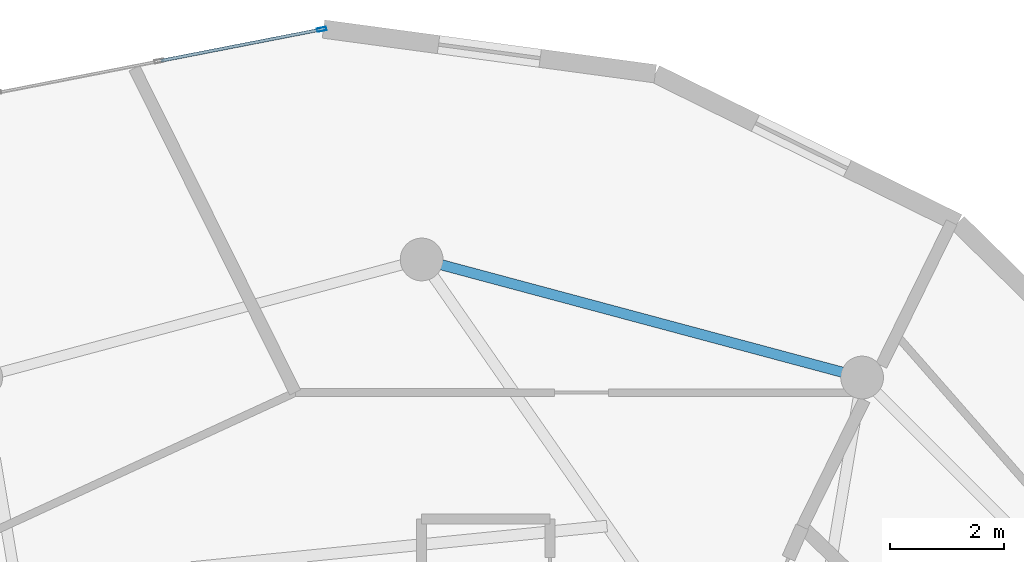
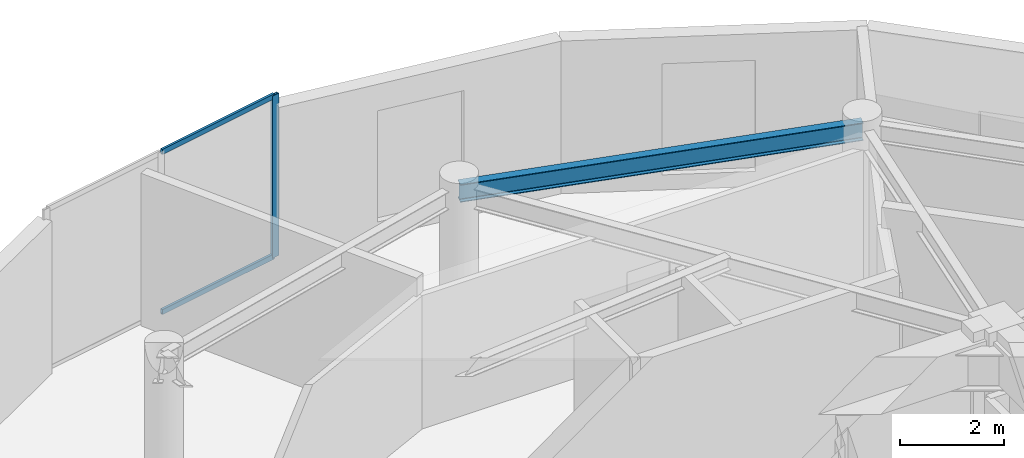
# One storey, part 12 of 18: 3 members, 1 beam, 1 element without a shape of its own.
"""IFC4 building model written with IfcOpenShell, lengths in metres."""

from ifc_helpers import new_model, si_unit, direction, frame, origin, origin_2d, place, context, subcontext, project, spatial, hollow_rectangle, i_section, extrude, source, transform, mapped, material, layer, layer_set, material_profile, profile_set, type_object, element, aggregate, save


model = new_model("IFC4")

# Units and contexts
model_context = context("Model", 3, precision=1e-05, world=origin(), true_north=direction((0.0, 1.0)))
body_context = subcontext(model_context, "Body", "Model", "MODEL_VIEW")
ifc_project = project(units=[si_unit("LENGTHUNIT", "METRE"), si_unit("AREAUNIT", "SQUARE_METRE"), si_unit("VOLUMEUNIT", "CUBIC_METRE"), si_unit("PLANEANGLEUNIT", "RADIAN"), si_unit("MASSUNIT", "GRAM", prefix="KILO")], contexts=[model_context])

# Site, building, storey
site_placement = place(None, origin())
site = spatial("IfcSite", under=ifc_project, at=site_placement, CompositionType="ELEMENT")
building_placement = place(site_placement, origin())
building = spatial("IfcBuilding", under=site, at=building_placement, Name="Solvirekh Grand Hotel", CompositionType="ELEMENT")
storey_placement = place(building_placement, frame((0.0, 0.0, 274.39990234375)))
storey = spatial("IfcBuildingStorey", under=building, at=storey_placement, Name="L71", CompositionType="ELEMENT", Elevation=274.39990234375)

# Beam
ifc_material_1 = material(Name="Steel S355", Category="steel")
ifc_material_profile_1 = material_profile(ifc_material_1, i_section(OverallWidth=0.180908203125, OverallDepth=0.4169921875, WebThickness=0.010009765625, FlangeThickness=0.01611328125, FilletRadius=0.011962890625, at=origin_2d()), Name="W410X85")
ifc_profile_set_1 = profile_set([ifc_material_profile_1], Name="Steel S355")
beam_type = type_object("IfcBeamType", Name="Spandrel_Ring_W410", PredefinedType="SPANDREL", material=ifc_profile_set_1)
beam_placement = place(storey_placement, frame((7.72509765625, 13.3798828125, 3.362060546875), z_axis=(-0.965921616143, 0.258834757072, 0.0), x_axis=(-0.258834757072, -0.965921616143, 0.0)))
element("IfcBeam", 1, at=beam_placement, inside=storey, type_object=beam_type, Name="L71 perimeter spandrel beam 3", PredefinedType="SPANDREL", context=body_context, shape_type="SweptSolid", body=[
    extrude(i_section(OverallWidth=0.180908203125, OverallDepth=0.4169921875, WebThickness=0.010009765625, FlangeThickness=0.01611328125, FilletRadius=0.011962890625, at=origin_2d()), origin(), (0.0, 0.0, 1.0), 7.99755859375),
])

# Curtain wall, members
ifc_material_2 = material(Name="Anodized Bronze Aluminium 6063-T6", Category="aluminium")
ifc_layer = layer(ifc_material_2, 0.159912109375)
ifc_layer_set = layer_set([ifc_layer], Name="Anodized Bronze Aluminium 6063-T6")
curtain_wall_type = type_object("IfcCurtainWallType", Name="CW_Sys4_HighZoneFlushBronzeCW", PredefinedType="NOTDEFINED", material=ifc_layer_set)
curtain_wall_placement = place(storey_placement, origin())
curtain_wall = element("IfcCurtainWall", 2, at=curtain_wall_placement, inside=storey, type_object=curtain_wall_type, Name="L71 unitised bronze-glass curtain wall CW-L71-C11", PredefinedType="NOTDEFINED")
ifc_material_profile_2 = material_profile(ifc_material_2, hollow_rectangle(XDim=0.06005859375, YDim=0.159912109375, WallThickness=0.0048828125, at=origin_2d()), Name="ALU RHS 160X60X5")
ifc_profile_set_2 = profile_set([ifc_material_profile_2], Name="Anodized Bronze Aluminium 6063-T6")
member_type_1 = type_object("IfcMemberType", Name="CWMullion_Sys4", PredefinedType="MULLION", material=ifc_profile_set_2)
shared_shape_1 = source(origin(), body_context, "Body", "SweptSolid", [
    extrude(hollow_rectangle(XDim=0.06005859375, YDim=0.159912109375, WallThickness=0.0048828125, at=origin_2d()), origin(), (0.0, 0.0, 1.0), 3.800048828125),
])
member_1_placement = place(storey_placement, frame((-1.75146484375, 19.486328125, 0.0), z_axis=(0.0, 0.0, 1.0), x_axis=(0.191430326936, -0.981506204733, 0.0)))
member_1 = element("IfcMember", 3, at=member_1_placement, type_object=member_type_1, Name="U04 mullion 1", PredefinedType="MULLION", context=body_context, shape_type="MappedRepresentation", body=[
    mapped(shared_shape_1, transform((0.0, 0.0, 0.0), x_axis=(1.0, 0.0, 0.0), y_axis=(0.0, 1.0, 0.0), z_axis=(0.0, 0.0, 1.0), scale=1.0)),
])
ifc_material_profile_3 = material_profile(ifc_material_2, hollow_rectangle(XDim=0.054931640625, YDim=0.1201171875, WallThickness=0.00390625, at=origin_2d()), Name="ALU RHS 120X55X4")
ifc_profile_set_3 = profile_set([ifc_material_profile_3], Name="Anodized Bronze Aluminium 6063-T6")
member_type_2 = type_object("IfcMemberType", Name="CWTransom_Sys4", PredefinedType="USERDEFINED", material=ifc_profile_set_3)
shared_shape_2 = source(origin(), body_context, "Body", "SweptSolid", [
    extrude(hollow_rectangle(XDim=0.054931640625, YDim=0.1201171875, WallThickness=0.00390625, at=origin_2d()), origin(), (0.0, 0.0, 1.0), 2.845703125),
])
member_2_placement = place(storey_placement, frame((-1.781005859375, 19.48046875, 0.027587890625), z_axis=(-0.981509860497, -0.19141158206, 0.0), x_axis=(0.19141158206, -0.981509860497, 0.0)))
member_2 = element("IfcMember", 4, at=member_2_placement, type_object=member_type_2, Name="U04 transom 1.1", ObjectType="TRANSOM", PredefinedType="USERDEFINED", context=body_context, shape_type="MappedRepresentation", body=[
    mapped(shared_shape_2, transform((0.0, 0.0, 0.0), x_axis=(1.0, 0.0, 0.0), y_axis=(0.0, 1.0, 0.0), z_axis=(0.0, 0.0, 1.0), scale=1.0)),
])
member_3_placement = place(storey_placement, frame((-1.781005859375, 19.48046875, 3.772705078125), z_axis=(-0.981509860497, -0.19141158206, 0.0), x_axis=(0.19141158206, -0.981509860497, 0.0)))
member_3 = element("IfcMember", 5, at=member_3_placement, type_object=member_type_2, Name="U04 transom 1.2", ObjectType="TRANSOM", PredefinedType="USERDEFINED", context=body_context, shape_type="MappedRepresentation", body=[
    mapped(shared_shape_2, transform((0.0, 0.0, 0.0), x_axis=(1.0, 0.0, 0.0), y_axis=(0.0, 1.0, 0.0), z_axis=(0.0, 0.0, 1.0), scale=1.0)),
])
aggregate(curtain_wall, [member_1, member_2, member_3])

save(model, "model.ifc")
